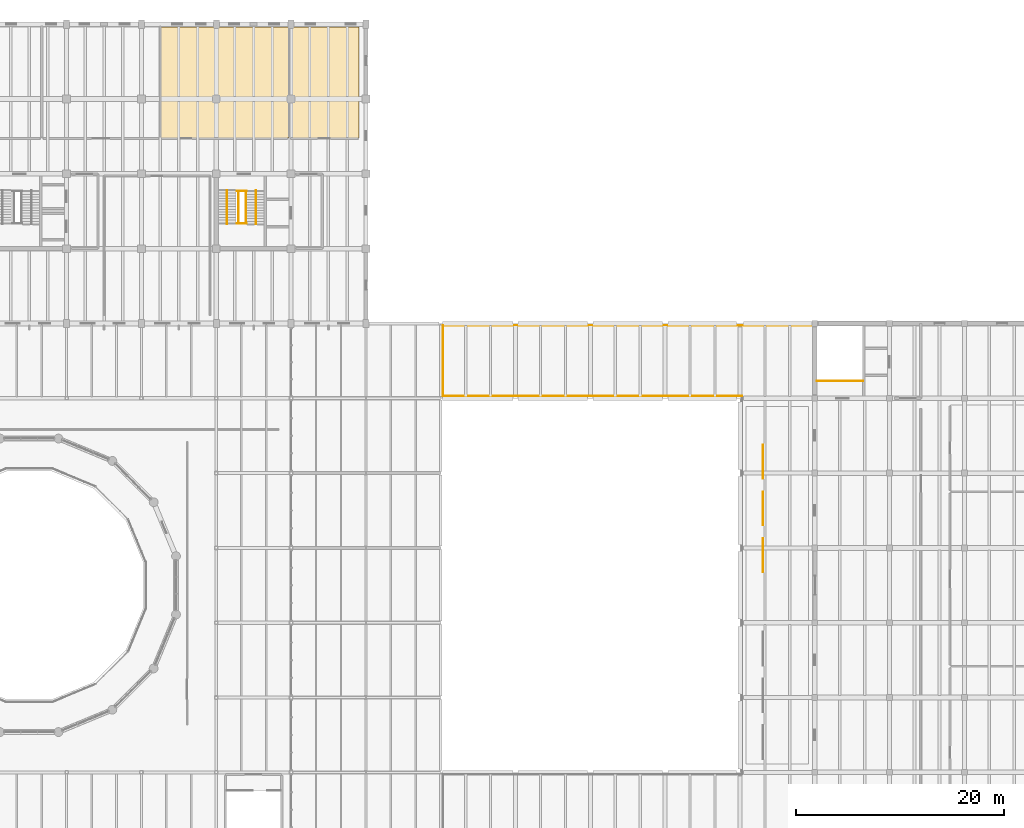
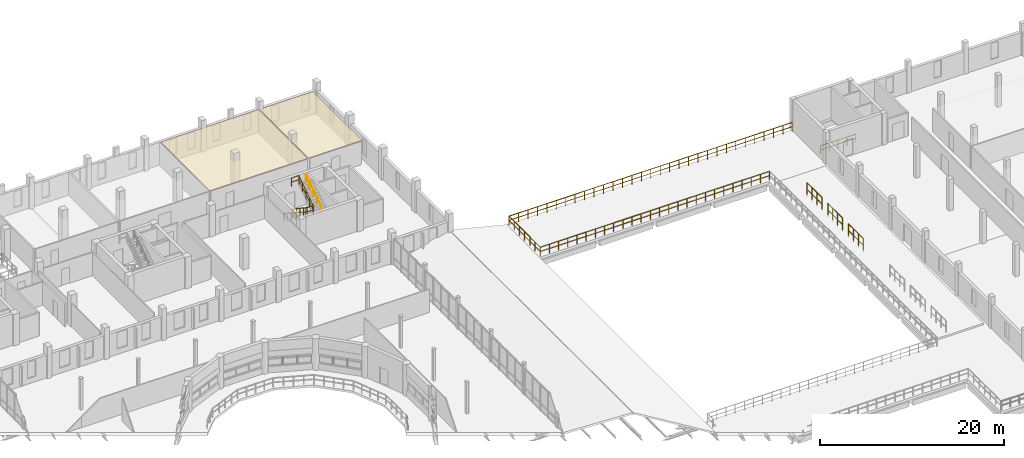
# One storey, part 62 of 63: 13 railings, 2 coverings.
"""IFC4 building model written with IfcOpenShell, lengths in metres."""

from ifc_helpers import new_model, si_unit, direction, frame, origin, origin_2d, place, context, subcontext, project, spatial, polyline, circle, outline, extrude, material, layer, layer_set, type_object, element, save


model = new_model("IFC4")

# Units and contexts
model_context = context("Model", 3, precision=1e-05, world=origin(), true_north=direction((0.0, 1.0)))
body_context = subcontext(model_context, "Body", "Model", "MODEL_VIEW")
ifc_project = project(units=[si_unit("LENGTHUNIT", "METRE"), si_unit("AREAUNIT", "SQUARE_METRE"), si_unit("VOLUMEUNIT", "CUBIC_METRE"), si_unit("PLANEANGLEUNIT", "RADIAN"), si_unit("MASSUNIT", "GRAM", prefix="KILO")], contexts=[model_context])

# Site, building, storey
site_placement = place(None, origin())
site = spatial("IfcSite", under=ifc_project, at=site_placement, CompositionType="ELEMENT")
building_placement = place(site_placement, origin())
building = spatial("IfcBuilding", under=site, at=building_placement, Name="Qiaolan Assembly House", CompositionType="ELEMENT")
storey_placement = place(building_placement, frame((0.0, 0.0, 14.39990234375)))
storey = spatial("IfcBuildingStorey", under=building, at=storey_placement, Name="L03", CompositionType="ELEMENT", Elevation=14.39990234375)

# Coverings
ifc_material_1 = material(Name="Gypsum plasterboard acoustic ceiling")
ifc_layer = layer(ifc_material_1, 0.044921875)
ifc_layer_set = layer_set([ifc_layer], Name="Gypsum plasterboard acoustic ceiling")
covering_type = type_object("IfcCoveringType", Name="COV-CEIL-ACOUSTIC", PredefinedType="CEILING", material=ifc_layer_set)
covering_1_placement = place(storey_placement, frame((0.0, 0.0, 3.03515625)))
element("IfcCovering", 1, at=covering_1_placement, inside=storey, type_object=covering_type, Name="Suspended ceiling Public Works & Utilities Engineering Office", PredefinedType="CEILING", context=body_context, shape_type="SweptSolid", body=[
    extrude(outline(polyline([(81.0400390625, 104.239990234375), (93.360107421875, 104.239990234375), (93.360107421875, 114.949951171875), (81.0400390625, 114.949951171875), (81.0400390625, 104.239990234375)])), origin(), (0.0, 0.0, 1.0), 0.044921875),
])
covering_2_placement = place(storey_placement, frame((0.0, 0.0, 3.03515625)))
element("IfcCovering", 2, at=covering_2_placement, inside=storey, type_object=covering_type, Name="Suspended ceiling Drawing & Map Reference Store", PredefinedType="CEILING", context=body_context, shape_type="SweptSolid", body=[
    extrude(outline(polyline([(93.43994140625, 104.239990234375), (100.159912109375, 104.239990234375), (100.159912109375, 114.949951171875), (93.43994140625, 114.949951171875), (93.43994140625, 104.239990234375)])), origin(), (0.0, 0.0, 1.0), 0.044921875),
])

# Railings
ifc_material_2 = material(Name="Anodised bronze aluminium", Category="aluminium")
railing_type_1 = type_object("IfcRailingType", Name="RAL-GUARD-STAIRWELL-1150", PredefinedType="GUARDRAIL", material=ifc_material_2)
railing_1_placement = place(storey_placement, frame((88.5400390625, 99.14990234375, 0.0)))
element("IfcRailing", 3, at=railing_1_placement, inside=storey, type_object=railing_type_1, Name="GR-01 stair inner-well guard FLT-CORE-G-L03-1", PredefinedType="GUARDRAIL", context=body_context, shape_type="SweptSolid", body=[
    extrude(circle(Radius=0.02392578125, at=origin_2d()), frame((0.0, 0.0, 1.1259765625), z_axis=(0.0, -0.829565193945, 0.558409875445), x_axis=(1.0, 0.0, 0.0)), (0.0, 0.0, 1.0), 3.7607421875),
    extrude(circle(Radius=0.01611328125, at=origin_2d()), frame((0.0, 0.0, 0.574951171875), z_axis=(0.0, -0.829565193945, 0.558409875445), x_axis=(1.0, 0.0, 0.0)), (0.0, 0.0, 1.0), 3.7607421875),
    extrude(circle(Radius=0.02099609375, at=origin_2d()), origin(), (0.0, 0.0, 1.0), 1.101806640625),
    extrude(circle(Radius=0.02099609375, at=origin_2d()), frame((0.0, -0.780029296875, 0.52490234375)), (0.0, 0.0, 1.0), 1.101806640625),
    extrude(circle(Radius=0.02099609375, at=origin_2d()), frame((0.0, -1.56005859375, 1.050048828125)), (0.0, 0.0, 1.0), 1.101806640625),
    extrude(circle(Radius=0.02099609375, at=origin_2d()), frame((0.0, -2.33984375, 1.5751953125)), (0.0, 0.0, 1.0), 1.101806640625),
    extrude(circle(Radius=0.02099609375, at=origin_2d()), frame((0.0, -3.119873046875, 2.10009765625)), (0.0, 0.0, 1.0), 1.101806640625),
])
railing_2_placement = place(storey_placement, frame((89.280029296875, 96.030029296875, 2.10009765625)))
element("IfcRailing", 4, at=railing_2_placement, inside=storey, type_object=railing_type_1, Name="GR-01 stair inner-well guard FLT-CORE-G-L03-2", PredefinedType="GUARDRAIL", context=body_context, shape_type="SweptSolid", body=[
    extrude(circle(Radius=0.02392578125, at=origin_2d()), frame((0.0, 0.0, 1.1259765625), z_axis=(0.0, 0.829565193945, 0.558409875445), x_axis=(-1.0, 0.0, 0.0)), (0.0, 0.0, 1.0), 3.7607421875),
    extrude(circle(Radius=0.01611328125, at=origin_2d()), frame((0.0, 0.0, 0.574951171875), z_axis=(0.0, 0.829565193945, 0.558409875445), x_axis=(-1.0, 0.0, 0.0)), (0.0, 0.0, 1.0), 3.7607421875),
    extrude(circle(Radius=0.02099609375, at=origin_2d()), origin(), (0.0, 0.0, 1.0), 1.101806640625),
    extrude(circle(Radius=0.02099609375, at=origin_2d()), frame((0.0, 0.780029296875, 0.52490234375)), (0.0, 0.0, 1.0), 1.101806640625),
    extrude(circle(Radius=0.02099609375, at=origin_2d()), frame((0.0, 1.56005859375, 1.050048828125)), (0.0, 0.0, 1.0), 1.101806640625),
    extrude(circle(Radius=0.02099609375, at=origin_2d()), frame((0.0, 2.33984375, 1.5751953125)), (0.0, 0.0, 1.0), 1.101806640625),
    extrude(circle(Radius=0.02099609375, at=origin_2d()), frame((0.0, 3.119873046875, 2.10009765625)), (0.0, 0.0, 1.0), 1.101806640625),
])
for number, where, name in (
    (5, (88.3798828125, 96.030029296875, 2.10009765625), "GR-01 stairwell landing guard CORE-G L03-1"),
    (6, (88.3798828125, 99.14990234375, 4.2001953125), "GR-01 stairwell landing guard CORE-G L03-2"),
):
    element("IfcRailing", number, at=place(storey_placement, frame(where)), inside=storey, type_object=railing_type_1, Name=name, PredefinedType="GUARDRAIL", context=body_context, shape_type="SweptSolid", body=[
        extrude(circle(Radius=0.02392578125, at=origin_2d()), frame((0.0, 0.0, 1.1259765625), z_axis=(1.0, 0.0, 0.0), x_axis=(0.0, 1.0, 0.0)), (0.0, 0.0, 1.0), 0.920166015625),
        extrude(circle(Radius=0.01611328125, at=origin_2d()), frame((0.0, 0.0, 0.574951171875), z_axis=(1.0, 0.0, 0.0), x_axis=(0.0, 1.0, 0.0)), (0.0, 0.0, 1.0), 0.920166015625),
        extrude(circle(Radius=0.02099609375, at=origin_2d()), origin(), (0.0, 0.0, 1.0), 1.101806640625),
        extrude(circle(Radius=0.02099609375, at=origin_2d()), frame((0.920166015625, 0.0, 0.0)), (0.0, 0.0, 1.0), 1.101806640625),
    ])
railing_3_placement = place(storey_placement, frame((144.219970703125, 80.85009765625, 0.0)))
element("IfcRailing", 7, at=railing_3_placement, inside=storey, type_object=railing_type_1, Name="GR-01 top stairwell guard CORE-F L03", PredefinedType="GUARDRAIL", context=body_context, shape_type="SweptSolid", body=[
    extrude(circle(Radius=0.02392578125, at=origin_2d()), frame((0.0, 0.0, 1.1259765625), z_axis=(1.0, 0.0, 0.0), x_axis=(0.0, 1.0, 0.0)), (0.0, 0.0, 1.0), 4.43994140625),
    extrude(circle(Radius=0.01611328125, at=origin_2d()), frame((0.0, 0.0, 0.574951171875), z_axis=(1.0, 0.0, 0.0), x_axis=(0.0, 1.0, 0.0)), (0.0, 0.0, 1.0), 4.43994140625),
    extrude(circle(Radius=0.02099609375, at=origin_2d()), origin(), (0.0, 0.0, 1.0), 1.101806640625),
    extrude(circle(Radius=0.02099609375, at=origin_2d()), frame((1.10986328125, 0.0, 0.0)), (0.0, 0.0, 1.0), 1.101806640625),
    extrude(circle(Radius=0.02099609375, at=origin_2d()), frame((2.219970703125, 0.0, 0.0)), (0.0, 0.0, 1.0), 1.101806640625),
    extrude(circle(Radius=0.02099609375, at=origin_2d()), frame((3.330078125, 0.0, 0.0)), (0.0, 0.0, 1.0), 1.101806640625),
    extrude(circle(Radius=0.02099609375, at=origin_2d()), frame((4.43994140625, 0.0, 0.0)), (0.0, 0.0, 1.0), 1.101806640625),
])
railing_type_2 = type_object("IfcRailingType", Name="RAL-GUARD-TERRACE-1180", PredefinedType="GUARDRAIL", material=ifc_material_2)
railing_4_placement = place(storey_placement, frame((137.0, 79.39990234375, 0.0)))
element("IfcRailing", 8, at=railing_4_placement, inside=storey, type_object=railing_type_2, Name="GR-03 L03 East Cloister Roof Garden Perimeter Guard seg 7", PredefinedType="GUARDRAIL", context=body_context, shape_type="SweptSolid", body=[
    extrude(circle(Radius=0.02392578125, at=origin_2d()), frame((0.0, 0.0, 1.15576171875), z_axis=(-1.0, 0.0, 0.0), x_axis=(0.0, -1.0, 0.0)), (0.0, 0.0, 1.0), 28.800048828125),
    extrude(circle(Radius=0.01611328125, at=origin_2d()), frame((0.0, 0.0, 0.58984375), z_axis=(-1.0, 0.0, 0.0), x_axis=(0.0, -1.0, 0.0)), (0.0, 0.0, 1.0), 28.800048828125),
    extrude(circle(Radius=0.02099609375, at=origin_2d()), origin(), (0.0, 0.0, 1.0), 1.1318359375),
    extrude(circle(Radius=0.02099609375, at=origin_2d()), frame((-1.152099609375, 0.0, 0.0)), (0.0, 0.0, 1.0), 1.1318359375),
    extrude(circle(Radius=0.02099609375, at=origin_2d()), frame((-2.303955078125, 0.0, 0.0)), (0.0, 0.0, 1.0), 1.1318359375),
    extrude(circle(Radius=0.02099609375, at=origin_2d()), frame((-3.4560546875, 0.0, 0.0)), (0.0, 0.0, 1.0), 1.1318359375),
    extrude(circle(Radius=0.02099609375, at=origin_2d()), frame((-4.60791015625, 0.0, 0.0)), (0.0, 0.0, 1.0), 1.1318359375),
    extrude(circle(Radius=0.02099609375, at=origin_2d()), frame((-5.760009765625, 0.0, 0.0)), (0.0, 0.0, 1.0), 1.1318359375),
    extrude(circle(Radius=0.02099609375, at=origin_2d()), frame((-6.912109375, 0.0, 0.0)), (0.0, 0.0, 1.0), 1.1318359375),
    extrude(circle(Radius=0.02099609375, at=origin_2d()), frame((-8.06396484375, 0.0, 0.0)), (0.0, 0.0, 1.0), 1.1318359375),
    extrude(circle(Radius=0.02099609375, at=origin_2d()), frame((-9.216064453125, 0.0, 0.0)), (0.0, 0.0, 1.0), 1.1318359375),
    extrude(circle(Radius=0.02099609375, at=origin_2d()), frame((-10.367919921875, 0.0, 0.0)), (0.0, 0.0, 1.0), 1.1318359375),
    extrude(circle(Radius=0.02099609375, at=origin_2d()), frame((-11.52001953125, 0.0, 0.0)), (0.0, 0.0, 1.0), 1.1318359375),
    extrude(circle(Radius=0.02099609375, at=origin_2d()), frame((-12.672119140625, 0.0, 0.0)), (0.0, 0.0, 1.0), 1.1318359375),
    extrude(circle(Radius=0.02099609375, at=origin_2d()), frame((-13.823974609375, 0.0, 0.0)), (0.0, 0.0, 1.0), 1.1318359375),
    extrude(circle(Radius=0.02099609375, at=origin_2d()), frame((-14.97607421875, 0.0, 0.0)), (0.0, 0.0, 1.0), 1.1318359375),
    extrude(circle(Radius=0.02099609375, at=origin_2d()), frame((-16.1279296875, 0.0, 0.0)), (0.0, 0.0, 1.0), 1.1318359375),
    extrude(circle(Radius=0.02099609375, at=origin_2d()), frame((-17.280029296875, 0.0, 0.0)), (0.0, 0.0, 1.0), 1.1318359375),
    extrude(circle(Radius=0.02099609375, at=origin_2d()), frame((-18.43212890625, 0.0, 0.0)), (0.0, 0.0, 1.0), 1.1318359375),
    extrude(circle(Radius=0.02099609375, at=origin_2d()), frame((-19.583984375, 0.0, 0.0)), (0.0, 0.0, 1.0), 1.1318359375),
    extrude(circle(Radius=0.02099609375, at=origin_2d()), frame((-20.736083984375, 0.0, 0.0)), (0.0, 0.0, 1.0), 1.1318359375),
    extrude(circle(Radius=0.02099609375, at=origin_2d()), frame((-21.887939453125, 0.0, 0.0)), (0.0, 0.0, 1.0), 1.1318359375),
    extrude(circle(Radius=0.02099609375, at=origin_2d()), frame((-23.0400390625, 0.0, 0.0)), (0.0, 0.0, 1.0), 1.1318359375),
    extrude(circle(Radius=0.02099609375, at=origin_2d()), frame((-24.192138671875, 0.0, 0.0)), (0.0, 0.0, 1.0), 1.1318359375),
    extrude(circle(Radius=0.02099609375, at=origin_2d()), frame((-25.343994140625, 0.0, 0.0)), (0.0, 0.0, 1.0), 1.1318359375),
    extrude(circle(Radius=0.02099609375, at=origin_2d()), frame((-26.49609375, 0.0, 0.0)), (0.0, 0.0, 1.0), 1.1318359375),
    extrude(circle(Radius=0.02099609375, at=origin_2d()), frame((-27.64794921875, 0.0, 0.0)), (0.0, 0.0, 1.0), 1.1318359375),
    extrude(circle(Radius=0.02099609375, at=origin_2d()), frame((-28.800048828125, 0.0, 0.0)), (0.0, 0.0, 1.0), 1.1318359375),
])
railing_5_placement = place(storey_placement, frame((108.199951171875, 79.39990234375, 0.0)))
element("IfcRailing", 9, at=railing_5_placement, inside=storey, type_object=railing_type_2, Name="GR-03 L03 East Cloister Roof Garden Perimeter Guard seg 8", PredefinedType="GUARDRAIL", context=body_context, shape_type="SweptSolid", body=[
    extrude(circle(Radius=0.02392578125, at=origin_2d()), frame((0.0, 0.0, 1.15576171875), z_axis=(0.0, 1.0, 0.0), x_axis=(-1.0, 0.0, 0.0)), (0.0, 0.0, 1.0), 6.800048828125),
    extrude(circle(Radius=0.01611328125, at=origin_2d()), frame((0.0, 0.0, 0.58984375), z_axis=(0.0, 1.0, 0.0), x_axis=(-1.0, 0.0, 0.0)), (0.0, 0.0, 1.0), 6.800048828125),
    extrude(circle(Radius=0.02099609375, at=origin_2d()), origin(), (0.0, 0.0, 1.0), 1.1318359375),
    extrude(circle(Radius=0.02099609375, at=origin_2d()), frame((0.0, 1.13330078125, 0.0)), (0.0, 0.0, 1.0), 1.1318359375),
    extrude(circle(Radius=0.02099609375, at=origin_2d()), frame((0.0, 2.2666015625, 0.0)), (0.0, 0.0, 1.0), 1.1318359375),
    extrude(circle(Radius=0.02099609375, at=origin_2d()), frame((0.0, 3.39990234375, 0.0)), (0.0, 0.0, 1.0), 1.1318359375),
    extrude(circle(Radius=0.02099609375, at=origin_2d()), frame((0.0, 4.533447265625, 0.0)), (0.0, 0.0, 1.0), 1.1318359375),
    extrude(circle(Radius=0.02099609375, at=origin_2d()), frame((0.0, 5.666748046875, 0.0)), (0.0, 0.0, 1.0), 1.1318359375),
    extrude(circle(Radius=0.02099609375, at=origin_2d()), frame((0.0, 6.800048828125, 0.0)), (0.0, 0.0, 1.0), 1.1318359375),
])
railing_6_placement = place(storey_placement, frame((108.199951171875, 86.199951171875, 0.0)))
element("IfcRailing", 10, at=railing_6_placement, inside=storey, type_object=railing_type_2, Name="GR-03 L03 East Cloister Roof Garden Perimeter Guard seg 9", PredefinedType="GUARDRAIL", context=body_context, shape_type="SweptSolid", body=[
    extrude(circle(Radius=0.02392578125, at=origin_2d()), frame((0.0, 0.0, 1.15576171875), z_axis=(1.0, 0.0, 0.0), x_axis=(0.0, 1.0, 0.0)), (0.0, 0.0, 1.0), 35.60009765625),
    extrude(circle(Radius=0.01611328125, at=origin_2d()), frame((0.0, 0.0, 0.58984375), z_axis=(1.0, 0.0, 0.0), x_axis=(0.0, 1.0, 0.0)), (0.0, 0.0, 1.0), 35.60009765625),
    extrude(circle(Radius=0.02099609375, at=origin_2d()), origin(), (0.0, 0.0, 1.0), 1.1318359375),
    extrude(circle(Radius=0.02099609375, at=origin_2d()), frame((1.186767578125, 0.0, 0.0)), (0.0, 0.0, 1.0), 1.1318359375),
    extrude(circle(Radius=0.02099609375, at=origin_2d()), frame((2.373291015625, 0.0, 0.0)), (0.0, 0.0, 1.0), 1.1318359375),
    extrude(circle(Radius=0.02099609375, at=origin_2d()), frame((3.56005859375, 0.0, 0.0)), (0.0, 0.0, 1.0), 1.1318359375),
    extrude(circle(Radius=0.02099609375, at=origin_2d()), frame((4.74658203125, 0.0, 0.0)), (0.0, 0.0, 1.0), 1.1318359375),
    extrude(circle(Radius=0.02099609375, at=origin_2d()), frame((5.933349609375, 0.0, 0.0)), (0.0, 0.0, 1.0), 1.1318359375),
    extrude(circle(Radius=0.02099609375, at=origin_2d()), frame((7.1201171875, 0.0, 0.0)), (0.0, 0.0, 1.0), 1.1318359375),
    extrude(circle(Radius=0.02099609375, at=origin_2d()), frame((8.306640625, 0.0, 0.0)), (0.0, 0.0, 1.0), 1.1318359375),
    extrude(circle(Radius=0.02099609375, at=origin_2d()), frame((9.493408203125, 0.0, 0.0)), (0.0, 0.0, 1.0), 1.1318359375),
    extrude(circle(Radius=0.02099609375, at=origin_2d()), frame((10.679931640625, 0.0, 0.0)), (0.0, 0.0, 1.0), 1.1318359375),
    extrude(circle(Radius=0.02099609375, at=origin_2d()), frame((11.86669921875, 0.0, 0.0)), (0.0, 0.0, 1.0), 1.1318359375),
    extrude(circle(Radius=0.02099609375, at=origin_2d()), frame((13.053466796875, 0.0, 0.0)), (0.0, 0.0, 1.0), 1.1318359375),
    extrude(circle(Radius=0.02099609375, at=origin_2d()), frame((14.239990234375, 0.0, 0.0)), (0.0, 0.0, 1.0), 1.1318359375),
    extrude(circle(Radius=0.02099609375, at=origin_2d()), frame((15.4267578125, 0.0, 0.0)), (0.0, 0.0, 1.0), 1.1318359375),
    extrude(circle(Radius=0.02099609375, at=origin_2d()), frame((16.61328125, 0.0, 0.0)), (0.0, 0.0, 1.0), 1.1318359375),
    extrude(circle(Radius=0.02099609375, at=origin_2d()), frame((17.800048828125, 0.0, 0.0)), (0.0, 0.0, 1.0), 1.1318359375),
    extrude(circle(Radius=0.02099609375, at=origin_2d()), frame((18.98681640625, 0.0, 0.0)), (0.0, 0.0, 1.0), 1.1318359375),
    extrude(circle(Radius=0.02099609375, at=origin_2d()), frame((20.17333984375, 0.0, 0.0)), (0.0, 0.0, 1.0), 1.1318359375),
    extrude(circle(Radius=0.02099609375, at=origin_2d()), frame((21.360107421875, 0.0, 0.0)), (0.0, 0.0, 1.0), 1.1318359375),
    extrude(circle(Radius=0.02099609375, at=origin_2d()), frame((22.546630859375, 0.0, 0.0)), (0.0, 0.0, 1.0), 1.1318359375),
    extrude(circle(Radius=0.02099609375, at=origin_2d()), frame((23.7333984375, 0.0, 0.0)), (0.0, 0.0, 1.0), 1.1318359375),
    extrude(circle(Radius=0.02099609375, at=origin_2d()), frame((24.920166015625, 0.0, 0.0)), (0.0, 0.0, 1.0), 1.1318359375),
    extrude(circle(Radius=0.02099609375, at=origin_2d()), frame((26.106689453125, 0.0, 0.0)), (0.0, 0.0, 1.0), 1.1318359375),
    extrude(circle(Radius=0.02099609375, at=origin_2d()), frame((27.29345703125, 0.0, 0.0)), (0.0, 0.0, 1.0), 1.1318359375),
    extrude(circle(Radius=0.02099609375, at=origin_2d()), frame((28.47998046875, 0.0, 0.0)), (0.0, 0.0, 1.0), 1.1318359375),
    extrude(circle(Radius=0.02099609375, at=origin_2d()), frame((29.666748046875, 0.0, 0.0)), (0.0, 0.0, 1.0), 1.1318359375),
    extrude(circle(Radius=0.02099609375, at=origin_2d()), frame((30.853515625, 0.0, 0.0)), (0.0, 0.0, 1.0), 1.1318359375),
    extrude(circle(Radius=0.02099609375, at=origin_2d()), frame((32.0400390625, 0.0, 0.0)), (0.0, 0.0, 1.0), 1.1318359375),
    extrude(circle(Radius=0.02099609375, at=origin_2d()), frame((33.226806640625, 0.0, 0.0)), (0.0, 0.0, 1.0), 1.1318359375),
    extrude(circle(Radius=0.02099609375, at=origin_2d()), frame((34.413330078125, 0.0, 0.0)), (0.0, 0.0, 1.0), 1.1318359375),
    extrude(circle(Radius=0.02099609375, at=origin_2d()), frame((35.60009765625, 0.0, 0.0)), (0.0, 0.0, 1.0), 1.1318359375),
])
railing_type_3 = type_object("IfcRailingType", Name="RAL-HANDRAIL-STAIR-920", PredefinedType="HANDRAIL", material=ifc_material_2)
railing_7_placement = place(storey_placement, frame((87.449951171875, 99.2099609375, 0.0)))
element("IfcRailing", 11, at=railing_7_placement, inside=storey, type_object=railing_type_3, Name="HR-01 stair handrail FLT-CORE-G-L03-1", PredefinedType="HANDRAIL", context=body_context, shape_type="SweptSolid", body=[
    extrude(circle(Radius=0.02392578125, at=origin_2d()), frame((0.0, 0.0, 0.89599609375), z_axis=(0.0, -0.839140694364, 0.543914418877), x_axis=(1.0, 0.0, 0.0)), (0.0, 0.0, 1.0), 3.861083984375),
    extrude(circle(Radius=0.02099609375, at=origin_2d()), origin(), (0.0, 0.0, 1.0), 0.871826171875),
    extrude(circle(Radius=0.02099609375, at=origin_2d()), frame((0.0, -0.81005859375, 0.52490234375)), (0.0, 0.0, 1.0), 0.871826171875),
    extrude(circle(Radius=0.02099609375, at=origin_2d()), frame((0.0, -1.6201171875, 1.050048828125)), (0.0, 0.0, 1.0), 0.871826171875),
    extrude(circle(Radius=0.02099609375, at=origin_2d()), frame((0.0, -2.429931640625, 1.5751953125)), (0.0, 0.0, 1.0), 0.871826171875),
    extrude(circle(Radius=0.02099609375, at=origin_2d()), frame((0.0, -3.239990234375, 2.10009765625)), (0.0, 0.0, 1.0), 0.871826171875),
])
railing_8_placement = place(storey_placement, frame((90.199951171875, 95.969970703125, 2.10009765625)))
element("IfcRailing", 12, at=railing_8_placement, inside=storey, type_object=railing_type_3, Name="HR-01 stair handrail FLT-CORE-G-L03-2", PredefinedType="HANDRAIL", context=body_context, shape_type="SweptSolid", body=[
    extrude(circle(Radius=0.02392578125, at=origin_2d()), frame((0.0, 0.0, 0.89599609375), z_axis=(0.0, 0.839140694364, 0.543914418877), x_axis=(-1.0, 0.0, 0.0)), (0.0, 0.0, 1.0), 3.861083984375),
    extrude(circle(Radius=0.02099609375, at=origin_2d()), origin(), (0.0, 0.0, 1.0), 0.871826171875),
    extrude(circle(Radius=0.02099609375, at=origin_2d()), frame((0.0, 0.81005859375, 0.52490234375)), (0.0, 0.0, 1.0), 0.871826171875),
    extrude(circle(Radius=0.02099609375, at=origin_2d()), frame((0.0, 1.6201171875, 1.050048828125)), (0.0, 0.0, 1.0), 0.871826171875),
    extrude(circle(Radius=0.02099609375, at=origin_2d()), frame((0.0, 2.429931640625, 1.5751953125)), (0.0, 0.0, 1.0), 0.871826171875),
    extrude(circle(Radius=0.02099609375, at=origin_2d()), frame((0.0, 3.239990234375, 2.10009765625)), (0.0, 0.0, 1.0), 0.871826171875),
])
railing_type_4 = type_object("IfcRailingType", Name="RAL-SCREEN-PLANT-1800", PredefinedType="GUARDRAIL", material=ifc_material_2)
for number, where, name in (
    (13, (139.0, 62.5, 0.0), "PS-01 terrace acoustic plant screen 4"),
    (14, (139.0, 67.0, 0.0), "PS-01 terrace acoustic plant screen 5"),
    (15, (139.0, 71.5, 0.0), "PS-01 terrace acoustic plant screen 6"),
):
    element("IfcRailing", number, at=place(storey_placement, frame(where)), inside=storey, type_object=railing_type_4, Name=name, PredefinedType="GUARDRAIL", context=body_context, shape_type="SweptSolid", body=[
        extrude(circle(Radius=0.02392578125, at=origin_2d()), frame((0.0, 0.0, 1.77587890625), z_axis=(0.0, 1.0, 0.0), x_axis=(-1.0, 0.0, 0.0)), (0.0, 0.0, 1.0), 3.199951171875),
        extrude(circle(Radius=0.01611328125, at=origin_2d()), frame((0.0, 0.0, 0.89990234375), z_axis=(0.0, 1.0, 0.0), x_axis=(-1.0, 0.0, 0.0)), (0.0, 0.0, 1.0), 3.199951171875),
        extrude(circle(Radius=0.02099609375, at=origin_2d()), origin(), (0.0, 0.0, 1.0), 1.751953125),
        extrude(circle(Radius=0.02099609375, at=origin_2d()), frame((0.0, 1.066650390625, 0.0)), (0.0, 0.0, 1.0), 1.751953125),
        extrude(circle(Radius=0.02099609375, at=origin_2d()), frame((0.0, 2.13330078125, 0.0)), (0.0, 0.0, 1.0), 1.751953125),
        extrude(circle(Radius=0.02099609375, at=origin_2d()), frame((0.0, 3.199951171875, 0.0)), (0.0, 0.0, 1.0), 1.751953125),
    ])

save(model, "model.ifc")
